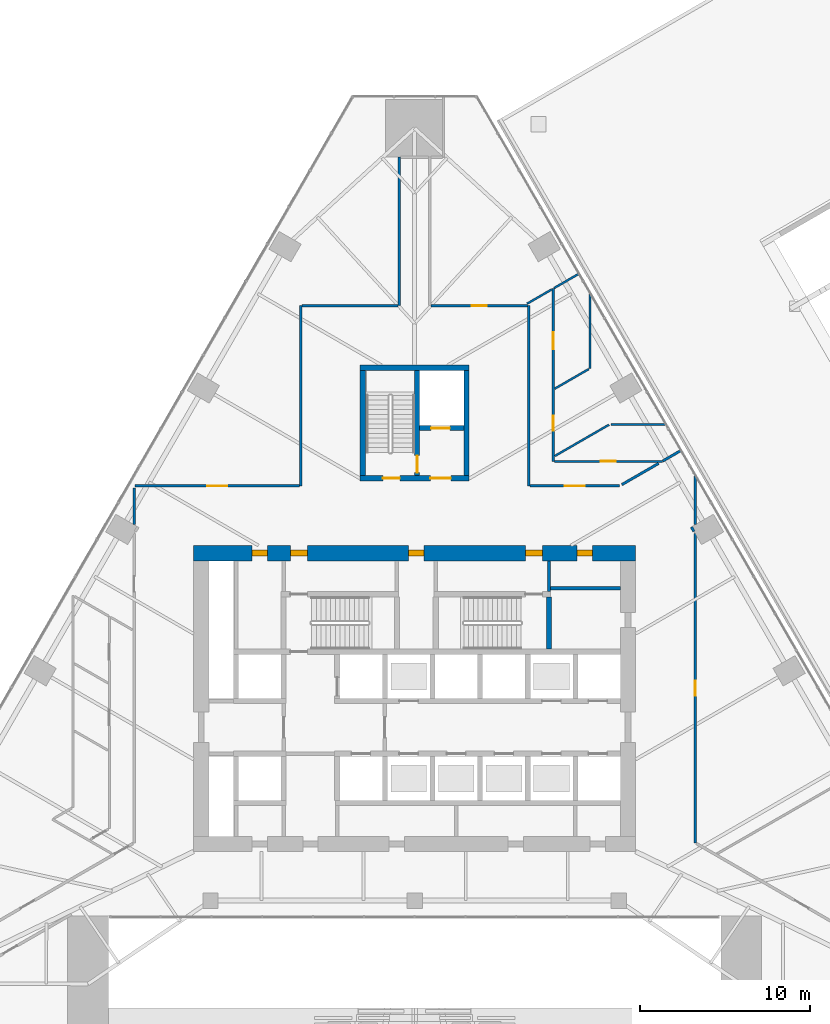
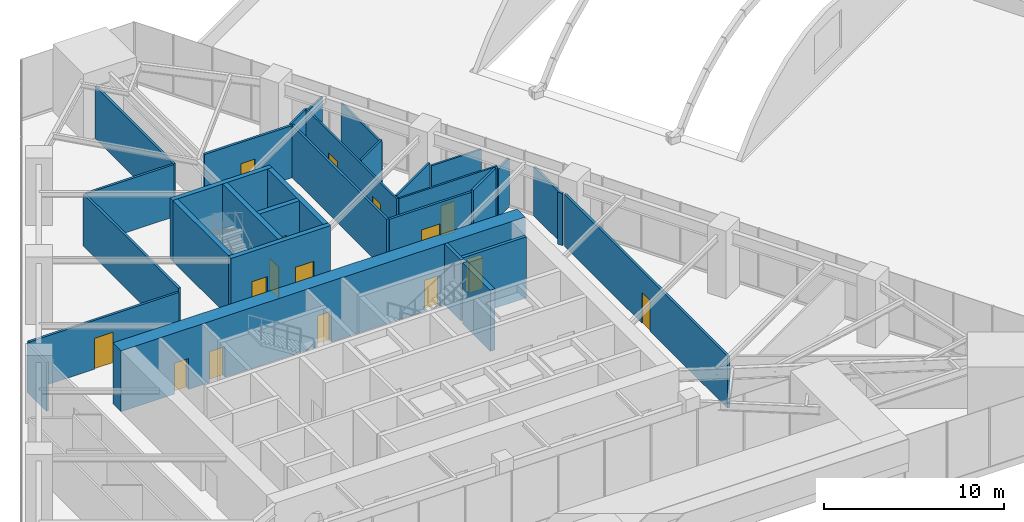
# One storey, part 20 of 23: 31 walls, 16 doors, 16 openings.
"""IFC4 building model written with IfcOpenShell, lengths in metres."""

from ifc_helpers import new_model, si_unit, direction, frame, frame_2d, origin, place, context, subcontext, project, spatial, rectangle, extrude, material, layer, layer_set, type_object, element, fill, save


model = new_model("IFC4")

# Units and contexts
model_context = context("Model", 3, precision=1e-05, world=origin(), true_north=direction((0.0, 1.0)))
body_context = subcontext(model_context, "Body", "Model", "MODEL_VIEW")
ifc_project = project(units=[si_unit("LENGTHUNIT", "METRE"), si_unit("AREAUNIT", "SQUARE_METRE"), si_unit("VOLUMEUNIT", "CUBIC_METRE"), si_unit("PLANEANGLEUNIT", "RADIAN"), si_unit("MASSUNIT", "GRAM", prefix="KILO")], contexts=[model_context])

# Site, building, storey
site_placement = place(None, origin())
site = spatial("IfcSite", under=ifc_project, at=site_placement, CompositionType="ELEMENT")
building_placement = place(site_placement, origin())
building = spatial("IfcBuilding", under=site, at=building_placement, Name="Firuza Gate Tower and Library", CompositionType="ELEMENT")
storey_placement = place(building_placement, frame((0.0, 0.0, 26.39990234375)))
storey = spatial("IfcBuildingStorey", under=building, at=storey_placement, Name="L05", CompositionType="ELEMENT", Elevation=26.39990234375)

# Walls
ifc_material_1 = material(Name="Plasterboard on steel studs", Category="steel")
ifc_layer_1 = layer(ifc_material_1, 0.199951171875)
ifc_layer_set_1 = layer_set([ifc_layer_1], Name="Core partition 200 EI 120")
wall_type_1 = type_object("IfcWallType", Name="Core partition 200 EI 120", PredefinedType="PARTITIONING", material=ifc_layer_set_1)
wall_1_placement = place(storey_placement, frame((83.0, 81.4951171875, 0.0), z_axis=(0.0, 0.0, 1.0), x_axis=(1.0, 0.0, 0.0)))
element("IfcWall", 1, at=wall_1_placement, inside=storey, type_object=wall_type_1, Name="Core partition L05 4", PredefinedType="PARTITIONING", context=body_context, shape_type="SweptSolid", body=[
    extrude(rectangle(XDim=4.10009765625, YDim=0.199951171875, at=frame_2d((2.050048828125, 0.0))), origin(), (0.0, 0.0, 1.0), 4.150146484375),
])
wall_2_placement = place(storey_placement, frame((82.89990234375, 81.280029296875, 0.0), z_axis=(0.0, 0.0, 1.0), x_axis=(0.0, 1.0, 0.0)))
element("IfcWall", 2, at=wall_2_placement, inside=storey, type_object=wall_type_1, Name="Core partition L05 15", PredefinedType="PARTITIONING", context=body_context, shape_type="SweptSolid", body=[
    extrude(rectangle(XDim=1.820068359375, YDim=0.199951171875, at=frame_2d((0.91015625, 0.0))), origin(), (0.0, 0.0, 1.0), 4.150146484375),
])
ifc_material_2 = material(Name="Concrete C80/95", Category="concrete")
ifc_layer_2 = layer(ifc_material_2, 0.300048828125)
ifc_layer_set_2 = layer_set([ifc_layer_2], Name="Core wall 300 C80/95")
wall_type_2 = type_object("IfcWallType", Name="Core wall 300 C80/95", PredefinedType="SHEAR", material=ifc_layer_set_2)
wall_3_placement = place(storey_placement, frame((82.89990234375, 77.89990234375, 0.0), z_axis=(0.0, 0.0, 1.0), x_axis=(0.0, 1.0, 0.0)))
element("IfcWall", 3, at=wall_3_placement, inside=storey, type_object=wall_type_2, Name="Core wall L05 33", PredefinedType="SHEAR", context=body_context, shape_type="SweptSolid", body=[
    extrude(rectangle(XDim=3.080078125, YDim=0.300048828125, at=frame_2d((1.5400390625, 0.0))), origin(), (0.0, 0.0, 1.0), 4.150146484375),
])

# Wall, openings, doors
wall_4_placement = place(storey_placement, frame((71.800048828125, 87.949951171875, 0.0), z_axis=(0.0, 0.0, 1.0), x_axis=(1.0, 0.0, 0.0)))
wall_4 = element("IfcWall", 4, at=wall_4_placement, inside=storey, type_object=wall_type_2, Name="Core wall L05 34", PredefinedType="SHEAR", context=body_context, shape_type="SweptSolid", body=[
    extrude(rectangle(XDim=6.39990234375, YDim=0.300048828125, at=frame_2d((3.199951171875, 0.0))), origin(), (0.0, 0.0, 1.0), 4.150146484375),
])
opening_1_placement = place(wall_4_placement, frame((1.324951171875, 0.0, 0.0)))
opening_1 = element("IfcOpeningElement", 5, at=opening_1_placement, cuts=wall_4, Name="Opening L05-K17", PredefinedType="OPENING", context=body_context, shape_type="SweptSolid", body=[
    extrude(rectangle(XDim=1.0, YDim=2.10009765625, at=frame_2d((0.5, 1.050048828125))), frame((0.0, 0.16015625, 0.0), z_axis=(0.0, -1.0, 0.0), x_axis=(1.0, 0.0, 0.0)), (0.0, 0.0, 1.0), 0.320068359375),
])
opening_2_placement = place(wall_4_placement, frame((4.125, 0.0, 0.0)))
opening_2 = element("IfcOpeningElement", 6, at=opening_2_placement, cuts=wall_4, Name="Opening L05-K19", PredefinedType="OPENING", context=body_context, shape_type="SweptSolid", body=[
    extrude(rectangle(XDim=1.199951171875, YDim=2.10009765625, at=frame_2d((0.60009765625, 1.050048828125))), frame((0.0, 0.16015625, 0.0), z_axis=(0.0, -1.0, 0.0), x_axis=(1.0, 0.0, 0.0)), (0.0, 0.0, 1.0), 0.320068359375),
])
ifc_material_3 = material(Name="Steel", Category="steel")
door_type_1 = type_object("IfcDoorType", Name="Fire door 1000x2100 FD90", OperationType="NOTDEFINED", PredefinedType="DOOR", material=ifc_material_3)
door_1_placement = place(opening_1_placement, origin())
door_1 = element("IfcDoor", 7, at=door_1_placement, inside=storey, type_object=door_type_1, Name="Door L05-K17", OperationType="SINGLE_SWING_RIGHT", OverallHeight=2.10009765625, OverallWidth=1.0, PredefinedType="DOOR", context=body_context, shape_type="SweptSolid", body=[
    extrude(rectangle(XDim=1.0, YDim=2.10009765625, at=frame_2d((0.5, 1.050048828125))), frame((0.0, 0.02490234375, 0.0), z_axis=(0.0, -1.0, 0.0), x_axis=(1.0, 0.0, 0.0)), (0.0, 0.0, 1.0), 0.050048828125),
])
fill(opening_1, door_1)
ifc_material_4 = material(Name="Steel", Category="steel")
door_type_2 = type_object("IfcDoorType", Name="Fire door 1200x2100 FD30S", OperationType="NOTDEFINED", PredefinedType="DOOR", material=ifc_material_4)
door_2_placement = place(opening_2_placement, origin())
door_2 = element("IfcDoor", 8, at=door_2_placement, inside=storey, type_object=door_type_2, Name="Door L05-K19", OperationType="SINGLE_SWING_RIGHT", OverallHeight=2.10009765625, OverallWidth=1.199951171875, PredefinedType="DOOR", context=body_context, shape_type="SweptSolid", body=[
    extrude(rectangle(XDim=1.199951171875, YDim=2.10009765625, at=frame_2d((0.60009765625, 1.050048828125))), frame((0.0, 0.02490234375, 0.0), z_axis=(0.0, -1.0, 0.0), x_axis=(1.0, 0.0, 0.0)), (0.0, 0.0, 1.0), 0.050048828125),
])
fill(opening_2, door_2)

# Walls
wall_5_placement = place(storey_placement, frame((71.800048828125, 94.449951171875, 0.0), z_axis=(0.0, 0.0, 1.0), x_axis=(1.0, 0.0, 0.0)))
element("IfcWall", 9, at=wall_5_placement, inside=storey, type_object=wall_type_2, Name="Core wall L05 35", PredefinedType="SHEAR", context=body_context, shape_type="SweptSolid", body=[
    extrude(rectangle(XDim=6.39990234375, YDim=0.300048828125, at=frame_2d((3.199951171875, 0.0))), origin(), (0.0, 0.0, 1.0), 4.150146484375),
])
for number, where, z_axis, x_axis, name in (
    (10, (71.949951171875, 88.10009765625, 0.0), (0.0, 0.0, 1.0), (0.0, 1.0, 0.0), "Core wall L05 36"),
    (11, (78.050048828125, 88.10009765625, 0.0), (0.0, 0.0, 1.0), (0.0, 1.0, 0.0), "Core wall L05 37"),
):
    element("IfcWall", number, at=place(storey_placement, frame(where, z_axis=z_axis, x_axis=x_axis)), inside=storey, type_object=wall_type_2, Name=name, PredefinedType="SHEAR", context=body_context, shape_type="SweptSolid", body=[
        extrude(rectangle(XDim=6.199951171875, YDim=0.300048828125, at=frame_2d((3.10009765625, 0.0))), origin(), (0.0, 0.0, 1.0), 4.150146484375),
    ])

# Wall, opening, door
wall_6_placement = place(storey_placement, frame((75.300048828125, 90.89990234375, 0.0), z_axis=(0.0, 0.0, 1.0), x_axis=(1.0, 0.0, 0.0)))
wall_6 = element("IfcWall", 12, at=wall_6_placement, inside=storey, type_object=wall_type_2, Name="Core wall L05 38", PredefinedType="SHEAR", context=body_context, shape_type="SweptSolid", body=[
    extrude(rectangle(XDim=2.599853515625, YDim=0.300048828125, at=frame_2d((1.2998046875, 0.0))), origin(), (0.0, 0.0, 1.0), 4.150146484375),
])
opening_3_placement = place(wall_6_placement, frame((0.675048828125, 0.0, 0.0)))
opening_3 = element("IfcOpeningElement", 13, at=opening_3_placement, cuts=wall_6, Name="Opening LD-SV1-L05", PredefinedType="OPENING", context=body_context, shape_type="SweptSolid", body=[
    extrude(rectangle(XDim=1.10009765625, YDim=2.10009765625, at=frame_2d((0.550048828125, 1.050048828125))), frame((0.0, 0.16015625, 0.0), z_axis=(0.0, -1.0, 0.0), x_axis=(1.0, 0.0, 0.0)), (0.0, 0.0, 1.0), 0.320068359375),
])
ifc_material_5 = material(Name="Stainless steel", Category="steel")
door_type_3 = type_object("IfcDoorType", Name="Lift landing door 1100x2100", OperationType="DOUBLE_DOOR_SLIDING", PredefinedType="DOOR", material=ifc_material_5)
door_3_placement = place(opening_3_placement, origin())
door_3 = element("IfcDoor", 14, at=door_3_placement, inside=storey, type_object=door_type_3, Name="Landing door SV1 L05", OperationType="DOUBLE_DOOR_SLIDING", OverallHeight=2.10009765625, OverallWidth=1.10009765625, PredefinedType="DOOR", context=body_context, shape_type="SweptSolid", body=[
    extrude(rectangle(XDim=1.10009765625, YDim=2.10009765625, at=frame_2d((0.550048828125, 1.050048828125))), frame((0.0, 0.02490234375, 0.0), z_axis=(0.0, -1.0, 0.0), x_axis=(1.0, 0.0, 0.0)), (0.0, 0.0, 1.0), 0.050048828125),
])
fill(opening_3, door_3)

wall_7_placement = place(storey_placement, frame((75.14990234375, 88.10009765625, 0.0), z_axis=(0.0, 0.0, 1.0), x_axis=(0.0, 1.0, 0.0)))
wall_7 = element("IfcWall", 15, at=wall_7_placement, inside=storey, type_object=wall_type_2, Name="Core wall L05 39", PredefinedType="SHEAR", context=body_context, shape_type="SweptSolid", body=[
    extrude(rectangle(XDim=6.199951171875, YDim=0.300048828125, at=frame_2d((3.10009765625, 0.0))), origin(), (0.0, 0.0, 1.0), 4.150146484375),
])
opening_4_placement = place(wall_7_placement, frame((0.18505859375, 0.0, 0.0)))
opening_4 = element("IfcOpeningElement", 16, at=opening_4_placement, cuts=wall_7, Name="Opening L05-K18", PredefinedType="OPENING", context=body_context, shape_type="SweptSolid", body=[
    extrude(rectangle(XDim=1.0, YDim=2.10009765625, at=frame_2d((0.5, 1.050048828125))), frame((0.0, 0.16015625, 0.0), z_axis=(0.0, -1.0, 0.0), x_axis=(1.0, 0.0, 0.0)), (0.0, 0.0, 1.0), 0.320068359375),
])
door_4_placement = place(opening_4_placement, origin())
door_4 = element("IfcDoor", 17, at=door_4_placement, inside=storey, type_object=door_type_1, Name="Door L05-K18", OperationType="SINGLE_SWING_LEFT", OverallHeight=2.10009765625, OverallWidth=1.0, PredefinedType="DOOR", context=body_context, shape_type="SweptSolid", body=[
    extrude(rectangle(XDim=1.0, YDim=2.10009765625, at=frame_2d((0.5, 1.050048828125))), frame((0.0, 0.02490234375, 0.0), z_axis=(0.0, -1.0, 0.0), x_axis=(1.0, 0.0, 0.0)), (0.0, 0.0, 1.0), 0.050048828125),
])
fill(opening_4, door_4)

# Wall, openings, doors
ifc_material_6 = material(Name="Concrete C80/95", Category="concrete")
ifc_layer_3 = layer(ifc_material_6, 0.89990234375)
ifc_layer_set_3 = layer_set([ifc_layer_3], Name="Core wall 900 C80/95")
wall_type_3 = type_object("IfcWallType", Name="Core wall 900 C80/95", PredefinedType="SHEAR", material=ifc_layer_set_3)
wall_8_placement = place(storey_placement, frame((62.0, 83.550048828125, 0.0), z_axis=(0.0, 0.0, 1.0), x_axis=(1.0, 0.0, 0.0)))
wall_8 = element("IfcWall", 18, at=wall_8_placement, inside=storey, type_object=wall_type_3, Name="Core wall L05 2", PredefinedType="SHEAR", context=body_context, shape_type="SweptSolid", body=[
    extrude(rectangle(XDim=26.0, YDim=0.89990234375, at=frame_2d((13.0, 0.0))), origin(), (0.0, 0.0, 1.0), 4.150146484375),
])
opening_5_placement = place(wall_8_placement, frame((5.695068359375, 0.0, 0.0)))
opening_5 = element("IfcOpeningElement", 19, at=opening_5_placement, cuts=wall_8, Name="Opening L05-K14", PredefinedType="OPENING", context=body_context, shape_type="SweptSolid", body=[
    extrude(rectangle(XDim=1.0, YDim=2.10009765625, at=frame_2d((0.5, 1.050048828125))), frame((0.0, 0.4599609375, 0.0), z_axis=(0.0, -1.0, 0.0), x_axis=(1.0, 0.0, 0.0)), (0.0, 0.0, 1.0), 0.919921875),
])
opening_6_placement = place(wall_8_placement, frame((19.5048828125, 0.0, 0.0)))
opening_6 = element("IfcOpeningElement", 20, at=opening_6_placement, cuts=wall_8, Name="Opening L05-K16", PredefinedType="OPENING", context=body_context, shape_type="SweptSolid", body=[
    extrude(rectangle(XDim=1.0, YDim=2.10009765625, at=frame_2d((0.5, 1.050048828125))), frame((0.0, 0.4599609375, 0.0), z_axis=(0.0, -1.0, 0.0), x_axis=(1.0, 0.0, 0.0)), (0.0, 0.0, 1.0), 0.919921875),
])
opening_7_placement = place(wall_8_placement, frame((3.449951171875, 0.0, 0.0)))
opening_7 = element("IfcOpeningElement", 21, at=opening_7_placement, cuts=wall_8, Name="Opening L05-K29", PredefinedType="OPENING", context=body_context, shape_type="SweptSolid", body=[
    extrude(rectangle(XDim=0.89990234375, YDim=2.10009765625, at=frame_2d((0.449951171875, 1.050048828125))), frame((0.0, 0.4599609375, 0.0), z_axis=(0.0, -1.0, 0.0), x_axis=(1.0, 0.0, 0.0)), (0.0, 0.0, 1.0), 0.919921875),
])
opening_8_placement = place(wall_8_placement, frame((12.64990234375, 0.0, 0.0)))
opening_8 = element("IfcOpeningElement", 22, at=opening_8_placement, cuts=wall_8, Name="Opening L05-K30", PredefinedType="OPENING", context=body_context, shape_type="SweptSolid", body=[
    extrude(rectangle(XDim=0.89990234375, YDim=2.10009765625, at=frame_2d((0.449951171875, 1.050048828125))), frame((0.0, 0.4599609375, 0.0), z_axis=(0.0, -1.0, 0.0), x_axis=(1.0, 0.0, 0.0)), (0.0, 0.0, 1.0), 0.919921875),
])
opening_9_placement = place(wall_8_placement, frame((22.550048828125, 0.0, 0.0)))
opening_9 = element("IfcOpeningElement", 23, at=opening_9_placement, cuts=wall_8, Name="Opening L05-K32", PredefinedType="OPENING", context=body_context, shape_type="SweptSolid", body=[
    extrude(rectangle(XDim=0.89990234375, YDim=2.10009765625, at=frame_2d((0.449951171875, 1.050048828125))), frame((0.0, 0.4599609375, 0.0), z_axis=(0.0, -1.0, 0.0), x_axis=(1.0, 0.0, 0.0)), (0.0, 0.0, 1.0), 0.919921875),
])
door_5_placement = place(opening_5_placement, origin())
door_5 = element("IfcDoor", 24, at=door_5_placement, inside=storey, type_object=door_type_1, Name="Door L05-K14", OperationType="SINGLE_SWING_LEFT", OverallHeight=2.10009765625, OverallWidth=1.0, PredefinedType="DOOR", context=body_context, shape_type="SweptSolid", body=[
    extrude(rectangle(XDim=1.0, YDim=2.10009765625, at=frame_2d((0.5, 1.050048828125))), frame((0.0, 0.169921875, 0.0), z_axis=(0.0, -1.0, 0.0), x_axis=(1.0, 0.0, 0.0)), (0.0, 0.0, 1.0), 0.33984375),
])
fill(opening_5, door_5)
door_6_placement = place(opening_6_placement, origin())
door_6 = element("IfcDoor", 25, at=door_6_placement, inside=storey, type_object=door_type_1, Name="Door L05-K16", OperationType="SINGLE_SWING_LEFT", OverallHeight=2.10009765625, OverallWidth=1.0, PredefinedType="DOOR", context=body_context, shape_type="SweptSolid", body=[
    extrude(rectangle(XDim=1.0, YDim=2.10009765625, at=frame_2d((0.5, 1.050048828125))), frame((0.0, 0.169921875, 0.0), z_axis=(0.0, -1.0, 0.0), x_axis=(1.0, 0.0, 0.0)), (0.0, 0.0, 1.0), 0.33984375),
])
fill(opening_6, door_6)
ifc_material_7 = material(Name="Steel", Category="steel")
door_type_4 = type_object("IfcDoorType", Name="Fire door 900x2100 FD30S", OperationType="NOTDEFINED", PredefinedType="DOOR", material=ifc_material_7)
door_7_placement = place(opening_7_placement, origin())
door_7 = element("IfcDoor", 26, at=door_7_placement, inside=storey, type_object=door_type_4, Name="Door L05-K29", OperationType="SINGLE_SWING_RIGHT", OverallHeight=2.10009765625, OverallWidth=0.89990234375, PredefinedType="DOOR", context=body_context, shape_type="SweptSolid", body=[
    extrude(rectangle(XDim=0.89990234375, YDim=2.10009765625, at=frame_2d((0.449951171875, 1.050048828125))), frame((0.0, 0.169921875, 0.0), z_axis=(0.0, -1.0, 0.0), x_axis=(1.0, 0.0, 0.0)), (0.0, 0.0, 1.0), 0.33984375),
])
fill(opening_7, door_7)
door_8_placement = place(opening_8_placement, origin())
door_8 = element("IfcDoor", 27, at=door_8_placement, inside=storey, type_object=door_type_4, Name="Door L05-K30", OperationType="SINGLE_SWING_LEFT", OverallHeight=2.10009765625, OverallWidth=0.89990234375, PredefinedType="DOOR", context=body_context, shape_type="SweptSolid", body=[
    extrude(rectangle(XDim=0.89990234375, YDim=2.10009765625, at=frame_2d((0.449951171875, 1.050048828125))), frame((0.0, 0.169921875, 0.0), z_axis=(0.0, -1.0, 0.0), x_axis=(1.0, 0.0, 0.0)), (0.0, 0.0, 1.0), 0.33984375),
])
fill(opening_8, door_8)
door_9_placement = place(opening_9_placement, origin())
door_9 = element("IfcDoor", 28, at=door_9_placement, inside=storey, type_object=door_type_4, Name="Door L05-K32", OperationType="SINGLE_SWING_LEFT", OverallHeight=2.10009765625, OverallWidth=0.89990234375, PredefinedType="DOOR", context=body_context, shape_type="SweptSolid", body=[
    extrude(rectangle(XDim=0.89990234375, YDim=2.10009765625, at=frame_2d((0.449951171875, 1.050048828125))), frame((0.0, 0.169921875, 0.0), z_axis=(0.0, -1.0, 0.0), x_axis=(1.0, 0.0, 0.0)), (0.0, 0.0, 1.0), 0.33984375),
])
fill(opening_9, door_9)

# Wall, opening, door
ifc_material_8 = material(Name="Gypsum board partition")
ifc_layer_4 = layer(ifc_material_8, 0.14990234375)
ifc_layer_set_4 = layer_set([ifc_layer_4], Name="Corridor wall 150 double board on steel studs")
wall_type_4 = type_object("IfcWallType", Name="Corridor wall 150 double board on steel studs", PredefinedType="PARTITIONING", material=ifc_layer_set_4)
wall_9_placement = place(storey_placement, frame((58.563232421875, 87.499755859375, 0.0), z_axis=(0.0, 0.0, 1.0), x_axis=(1.0, 0.0, 0.0)))
wall_9 = element("IfcWall", 29, at=wall_9_placement, inside=storey, type_object=wall_type_4, Name="f:L05:w000", PredefinedType="PARTITIONING", context=body_context, shape_type="SweptSolid", body=[
    extrude(rectangle(XDim=9.66162109375, YDim=0.14990234375, at=frame_2d((4.830810546875, 0.0))), origin(), (0.0, 0.0, 1.0), 3.315185546875),
])
opening_10_placement = place(wall_9_placement, frame((4.23095703125, 0.0, 0.0)))
opening_10 = element("IfcOpeningElement", 30, at=opening_10_placement, cuts=wall_9, Name="Opening L05-01", PredefinedType="OPENING", context=body_context, shape_type="SweptSolid", body=[
    extrude(rectangle(XDim=1.199951171875, YDim=2.10009765625, at=frame_2d((0.60009765625, 1.050048828125))), frame((0.0, 0.0849609375, 0.0), z_axis=(0.0, -1.0, 0.0), x_axis=(1.0, 0.0, 0.0)), (0.0, 0.0, 1.0), 0.169921875),
])
ifc_material_9 = material(Name="Steel door and timber leaf", Category="steel")
door_type_5 = type_object("IfcDoorType", Name="Fire door 1200 x 2100 steel frame, double leaf", OperationType="NOTDEFINED", PredefinedType="DOOR", material=ifc_material_9)
door_10_placement = place(opening_10_placement, origin())
door_10 = element("IfcDoor", 31, at=door_10_placement, inside=storey, type_object=door_type_5, Name="f:L05:d001", OperationType="DOUBLE_DOOR_SINGLE_SWING", OverallHeight=2.10009765625, OverallWidth=1.199951171875, PredefinedType="DOOR", context=body_context, shape_type="SweptSolid", body=[
    extrude(rectangle(XDim=1.199951171875, YDim=2.10009765625, at=frame_2d((0.60009765625, 1.050048828125))), frame((0.0, 0.02490234375, 0.0), z_axis=(0.0, -1.0, 0.0), x_axis=(1.0, 0.0, 0.0)), (0.0, 0.0, 1.0), 0.050048828125),
])
fill(opening_10, door_10)

wall_10_placement = place(storey_placement, frame((81.77490234375, 87.499755859375, 0.0), z_axis=(0.0, 0.0, 1.0), x_axis=(1.0, 0.0, 0.0)))
wall_10 = element("IfcWall", 32, at=wall_10_placement, inside=storey, type_object=wall_type_4, Name="f:L05:w001", PredefinedType="PARTITIONING", context=body_context, shape_type="SweptSolid", body=[
    extrude(rectangle(XDim=5.275634765625, YDim=0.14990234375, at=frame_2d((2.6376953125, 0.0))), origin(), (0.0, 0.0, 1.0), 3.550048828125),
])
opening_11_placement = place(wall_10_placement, frame((2.037841796875, 0.0, 0.0)))
opening_11 = element("IfcOpeningElement", 33, at=opening_11_placement, cuts=wall_10, Name="Opening L05-02", PredefinedType="OPENING", context=body_context, shape_type="SweptSolid", body=[
    extrude(rectangle(XDim=1.199951171875, YDim=2.10009765625, at=frame_2d((0.60009765625, 1.050048828125))), frame((0.0, 0.0849609375, 0.0), z_axis=(0.0, -1.0, 0.0), x_axis=(1.0, 0.0, 0.0)), (0.0, 0.0, 1.0), 0.169921875),
])
door_11_placement = place(opening_11_placement, origin())
door_11 = element("IfcDoor", 34, at=door_11_placement, inside=storey, type_object=door_type_5, Name="f:L05:d002", OperationType="DOUBLE_DOOR_SINGLE_SWING", OverallHeight=2.10009765625, OverallWidth=1.199951171875, PredefinedType="DOOR", context=body_context, shape_type="SweptSolid", body=[
    extrude(rectangle(XDim=1.199951171875, YDim=2.10009765625, at=frame_2d((0.60009765625, 1.050048828125))), frame((0.0, 0.02490234375, 0.0), z_axis=(0.0, -1.0, 0.0), x_axis=(1.0, 0.0, 0.0)), (0.0, 0.0, 1.0), 0.050048828125),
])
fill(opening_11, door_11)

# Wall
wall_11_placement = place(storey_placement, frame((68.37548828125, 98.10009765625, 0.0), z_axis=(0.0, 0.0, 1.0), x_axis=(1.0, 0.0, 0.0)))
element("IfcWall", 35, at=wall_11_placement, inside=storey, type_object=wall_type_4, Name="f:L05:w004", PredefinedType="PARTITIONING", context=body_context, shape_type="SweptSolid", body=[
    extrude(rectangle(XDim=5.6494140625, YDim=0.14990234375, at=frame_2d((2.82470703125, 0.0))), origin(), (0.0, 0.0, 1.0), 3.550048828125),
])

# Wall, opening, door
wall_12_placement = place(storey_placement, frame((75.97509765625, 98.10009765625, 0.0), z_axis=(0.0, 0.0, 1.0), x_axis=(1.0, 0.0, 0.0)))
wall_12 = element("IfcWall", 36, at=wall_12_placement, inside=storey, type_object=wall_type_4, Name="f:L05:w005", PredefinedType="PARTITIONING", context=body_context, shape_type="SweptSolid", body=[
    extrude(rectangle(XDim=5.64990234375, YDim=0.14990234375, at=frame_2d((2.824951171875, 0.0))), origin(), (0.0, 0.0, 1.0), 3.550048828125),
])
opening_12_placement = place(wall_12_placement, frame((2.37060546875, 0.0, 0.0)))
opening_12 = element("IfcOpeningElement", 37, at=opening_12_placement, cuts=wall_12, Name="Opening L05-04", PredefinedType="OPENING", context=body_context, shape_type="SweptSolid", body=[
    extrude(rectangle(XDim=0.89990234375, YDim=2.10009765625, at=frame_2d((0.449951171875, 1.050048828125))), frame((0.0, 0.0849609375, 0.0), z_axis=(0.0, -1.0, 0.0), x_axis=(1.0, 0.0, 0.0)), (0.0, 0.0, 1.0), 0.169921875),
])
ifc_material_10 = material(Name="Steel door and timber leaf", Category="steel")
door_type_6 = type_object("IfcDoorType", Name="Fire door 900 x 2100 steel frame, timber leaf", OperationType="NOTDEFINED", PredefinedType="DOOR", material=ifc_material_10)
door_12_placement = place(opening_12_placement, origin())
door_12 = element("IfcDoor", 38, at=door_12_placement, inside=storey, type_object=door_type_6, Name="f:L05:d004", OperationType="SINGLE_SWING_RIGHT", OverallHeight=2.10009765625, OverallWidth=0.89990234375, PredefinedType="DOOR", context=body_context, shape_type="SweptSolid", body=[
    extrude(rectangle(XDim=0.89990234375, YDim=2.10009765625, at=frame_2d((0.449951171875, 1.050048828125))), frame((0.0, 0.02490234375, 0.0), z_axis=(0.0, -1.0, 0.0), x_axis=(1.0, 0.0, 0.0)), (0.0, 0.0, 1.0), 0.050048828125),
])
fill(opening_12, door_12)

# Wall
wall_13_placement = place(storey_placement, frame((87.180419921875, 87.5751953125, 0.0), z_axis=(0.0, 0.0, 1.0), x_axis=(0.866065245018, 0.499930986609, 0.0)))
element("IfcWall", 39, at=wall_13_placement, inside=storey, type_object=wall_type_4, Name="f:L05:w013", PredefinedType="PARTITIONING", context=body_context, shape_type="SweptSolid", body=[
    extrude(rectangle(XDim=2.499755859375, YDim=0.14990234375, at=frame_2d((1.25, 0.0))), origin(), (0.0, 0.0, 1.0), 3.550048828125),
])

# Wall, opening, door
wall_14_placement = place(storey_placement, frame((91.5, 84.690185546875, 0.0), z_axis=(0.0, 0.0, 1.0), x_axis=(0.0, -1.0, 0.0)))
wall_14 = element("IfcWall", 40, at=wall_14_placement, inside=storey, type_object=wall_type_4, Name="f:L05:w019", PredefinedType="PARTITIONING", context=body_context, shape_type="SweptSolid", body=[
    extrude(rectangle(XDim=18.17724609375, YDim=0.14990234375, at=frame_2d((9.088623046875, 0.0))), origin(), (0.0, 0.0, 1.0), 3.550048828125),
])
opening_13_placement = place(wall_14_placement, frame((8.638671875, 0.0, 0.0)))
opening_13 = element("IfcOpeningElement", 41, at=opening_13_placement, cuts=wall_14, Name="Opening L05-09", PredefinedType="OPENING", context=body_context, shape_type="SweptSolid", body=[
    extrude(rectangle(XDim=0.89990234375, YDim=2.10009765625, at=frame_2d((0.449951171875, 1.050048828125))), frame((0.0, 0.0849609375, 0.0), z_axis=(0.0, -1.0, 0.0), x_axis=(1.0, 0.0, 0.0)), (0.0, 0.0, 1.0), 0.169921875),
])
door_13_placement = place(opening_13_placement, origin())
door_13 = element("IfcDoor", 42, at=door_13_placement, inside=storey, type_object=door_type_6, Name="f:L05:d009", OperationType="SINGLE_SWING_RIGHT", OverallHeight=2.10009765625, OverallWidth=0.89990234375, PredefinedType="DOOR", context=body_context, shape_type="SweptSolid", body=[
    extrude(rectangle(XDim=0.89990234375, YDim=2.10009765625, at=frame_2d((0.449951171875, 1.050048828125))), frame((0.0, 0.02490234375, 0.0), z_axis=(0.0, -1.0, 0.0), x_axis=(1.0, 0.0, 0.0)), (0.0, 0.0, 1.0), 0.050048828125),
])
fill(opening_13, door_13)

# Walls
wall_15_placement = place(storey_placement, frame((91.5, 85.219482421875, 0.0), z_axis=(0.0, 0.0, 1.0), x_axis=(0.0, 1.0, 0.0)))
element("IfcWall", 43, at=wall_15_placement, inside=storey, type_object=wall_type_4, Name="f:L05:w020", PredefinedType="PARTITIONING", context=body_context, shape_type="SweptSolid", body=[
    extrude(rectangle(XDim=2.890869140625, YDim=0.14990234375, at=frame_2d((1.4453125, 0.0))), origin(), (0.0, 0.0, 1.0), 3.315185546875),
])
wall_16_placement = place(storey_placement, frame((81.699951171875, 87.5, 0.0), z_axis=(0.0, 0.0, 1.0), x_axis=(0.0, 1.0, 0.0)))
element("IfcWall", 44, at=wall_16_placement, inside=storey, type_object=wall_type_4, Name="f:L05:w023", PredefinedType="PARTITIONING", context=body_context, shape_type="SweptSolid", body=[
    extrude(rectangle(XDim=10.60009765625, YDim=0.14990234375, at=frame_2d((5.300048828125, 0.0))), origin(), (0.0, 0.0, 1.0), 3.550048828125),
])
wall_17_placement = place(storey_placement, frame((74.10009765625, 98.10009765625, 0.0), z_axis=(0.0, 0.0, 1.0), x_axis=(0.0, 1.0, 0.0)))
element("IfcWall", 45, at=wall_17_placement, inside=storey, type_object=wall_type_4, Name="f:L05:w026", PredefinedType="PARTITIONING", context=body_context, shape_type="SweptSolid", body=[
    extrude(rectangle(XDim=8.733154296875, YDim=0.14990234375, at=frame_2d((4.36669921875, 0.0))), origin(), (0.0, 0.0, 1.0), 3.550048828125),
])
wall_18_placement = place(storey_placement, frame((68.300048828125, 87.5, 0.0), z_axis=(0.0, 0.0, 1.0), x_axis=(0.0, 1.0, 0.0)))
element("IfcWall", 46, at=wall_18_placement, inside=storey, type_object=wall_type_4, Name="f:L05:w027", PredefinedType="PARTITIONING", context=body_context, shape_type="SweptSolid", body=[
    extrude(rectangle(XDim=10.599365234375, YDim=0.14990234375, at=frame_2d((5.2998046875, 0.0))), origin(), (0.0, 0.0, 1.0), 3.550048828125),
])
wall_19_placement = place(storey_placement, frame((58.5, 85.219482421875, 0.0), z_axis=(0.0, 0.0, 1.0), x_axis=(0.0, 1.0, 0.0)))
element("IfcWall", 47, at=wall_19_placement, inside=storey, type_object=wall_type_4, Name="f:L05:w029", PredefinedType="PARTITIONING", context=body_context, shape_type="SweptSolid", body=[
    extrude(rectangle(XDim=2.169921875, YDim=0.14990234375, at=frame_2d((1.0849609375, 0.0))), origin(), (0.0, 0.0, 1.0), 3.315185546875),
])
wall_20_placement = place(storey_placement, frame((91.42529296875, 84.820556640625, 0.0), z_axis=(0.0, 0.0, 1.0), x_axis=(-0.4998141712, 0.866132665513, 0.0)))
element("IfcWall", 48, at=wall_20_placement, inside=storey, type_object=wall_type_4, Name="f:L05:w032", PredefinedType="PARTITIONING", context=body_context, shape_type="SweptSolid", body=[
    extrude(rectangle(XDim=0.30712890625, YDim=0.14990234375, at=frame_2d((0.153564453125, 0.0))), origin(), (0.0, 0.0, 1.0), 3.550048828125),
])
wall_21_placement = place(storey_placement, frame((89.588134765625, 88.965087890625, 0.0), z_axis=(0.0, 0.0, 1.0), x_axis=(0.865983670182, 0.500072277755, 0.0)))
element("IfcWall", 49, at=wall_21_placement, inside=storey, type_object=wall_type_4, Name="f:L05:w040", PredefinedType="PARTITIONING", context=body_context, shape_type="SweptSolid", body=[
    extrude(rectangle(XDim=1.228271484375, YDim=0.14990234375, at=frame_2d((0.6142578125, 0.0))), origin(), (0.0, 0.0, 1.0), 3.315185546875),
])

# Wall, opening, door
ifc_material_11 = material(Name="Gypsum board partition")
ifc_layer_5 = layer(ifc_material_11, 0.1201171875)
ifc_layer_set_5 = layer_set([ifc_layer_5], Name="Wet-area partition 120 moisture-resistant board")
wall_type_5 = type_object("IfcWallType", Name="Wet-area partition 120 moisture-resistant board", PredefinedType="PARTITIONING", material=ifc_layer_set_5)
wall_22_placement = place(storey_placement, frame((83.2099609375, 88.949951171875, 0.0), z_axis=(0.0, 0.0, 1.0), x_axis=(1.0, 0.0, 0.0)))
wall_22 = element("IfcWall", 50, at=wall_22_placement, inside=storey, type_object=wall_type_5, Name="f:L05:w002", PredefinedType="PARTITIONING", context=body_context, shape_type="SweptSolid", body=[
    extrude(rectangle(XDim=6.35205078125, YDim=0.1201171875, at=frame_2d((3.176025390625, 0.0))), origin(), (0.0, 0.0, 1.0), 3.550048828125),
])
opening_14_placement = place(wall_22_placement, frame((2.72607421875, 0.0, 0.0)))
opening_14 = element("IfcOpeningElement", 51, at=opening_14_placement, cuts=wall_22, Name="Opening L05-03", PredefinedType="OPENING", context=body_context, shape_type="SweptSolid", body=[
    extrude(rectangle(XDim=0.89990234375, YDim=2.10009765625, at=frame_2d((0.449951171875, 1.050048828125))), frame((0.0, 0.070068359375, 0.0), z_axis=(0.0, -1.0, 0.0), x_axis=(1.0, 0.0, 0.0)), (0.0, 0.0, 1.0), 0.14013671875),
])
ifc_material_12 = material(Name="Timber door", Category="wood")
door_type_7 = type_object("IfcDoorType", Name="Door 900 x 2100 timber leaf", OperationType="NOTDEFINED", PredefinedType="DOOR", material=ifc_material_12)
door_14_placement = place(opening_14_placement, origin())
door_14 = element("IfcDoor", 52, at=door_14_placement, inside=storey, type_object=door_type_7, Name="f:L05:d003", OperationType="SINGLE_SWING_LEFT", OverallHeight=2.10009765625, OverallWidth=0.89990234375, PredefinedType="DOOR", context=body_context, shape_type="SweptSolid", body=[
    extrude(rectangle(XDim=0.89990234375, YDim=2.10009765625, at=frame_2d((0.449951171875, 1.050048828125))), frame((0.0, 0.02490234375, 0.0), z_axis=(0.0, -1.0, 0.0), x_axis=(1.0, 0.0, 0.0)), (0.0, 0.0, 1.0), 0.050048828125),
])
fill(opening_14, door_14)

# Walls
wall_23_placement = place(storey_placement, frame((86.549072265625, 91.10009765625, 0.0), z_axis=(0.0, 0.0, 1.0), x_axis=(1.0, 0.0, 0.0)))
element("IfcWall", 53, at=wall_23_placement, inside=storey, type_object=wall_type_5, Name="f:L05:w003", PredefinedType="PARTITIONING", context=body_context, shape_type="SweptSolid", body=[
    extrude(rectangle(XDim=3.224853515625, YDim=0.1201171875, at=frame_2d((1.6123046875, 0.0))), origin(), (0.0, 0.0, 1.0), 3.315185546875),
])
wall_24_placement = place(storey_placement, frame((83.244873046875, 89.26123046875, 0.0), z_axis=(0.0, 0.0, 1.0), x_axis=(0.866019716681, 0.500009850223, 0.0)))
element("IfcWall", 54, at=wall_24_placement, inside=storey, type_object=wall_type_5, Name="f:L05:w014", PredefinedType="PARTITIONING", context=body_context, shape_type="SweptSolid", body=[
    extrude(rectangle(XDim=3.6767578125, YDim=0.1201171875, at=frame_2d((1.83837890625, 0.0))), origin(), (0.0, 0.0, 1.0), 3.550048828125),
])
wall_25_placement = place(storey_placement, frame((83.24462890625, 93.220458984375, 0.0), z_axis=(0.0, 0.0, 1.0), x_axis=(0.866010893236, 0.500025132165, 0.0)))
element("IfcWall", 55, at=wall_25_placement, inside=storey, type_object=wall_type_5, Name="f:L05:w015", PredefinedType="PARTITIONING", context=body_context, shape_type="SweptSolid", body=[
    extrude(rectangle(XDim=2.30419921875, YDim=0.1201171875, at=frame_2d((1.152099609375, 0.0))), origin(), (0.0, 0.0, 1.0), 3.550048828125),
])
wall_26_placement = place(storey_placement, frame((81.609619140625, 98.215087890625, 0.0), z_axis=(0.0, 0.0, 1.0), x_axis=(0.866027799164, 0.499995851058, 0.0)))
element("IfcWall", 56, at=wall_26_placement, inside=storey, type_object=wall_type_5, Name="f:L05:w016", PredefinedType="PARTITIONING", context=body_context, shape_type="SweptSolid", body=[
    extrude(rectangle(XDim=1.6748046875, YDim=0.1201171875, at=frame_2d((0.83740234375, 0.0))), origin(), (0.0, 0.0, 1.0), 3.550048828125),
])
wall_27_placement = place(storey_placement, frame((85.300048828125, 94.4072265625, 0.0), z_axis=(0.0, 0.0, 1.0), x_axis=(0.0, 1.0, 0.0)))
element("IfcWall", 57, at=wall_27_placement, inside=storey, type_object=wall_type_5, Name="f:L05:w021", PredefinedType="PARTITIONING", context=body_context, shape_type="SweptSolid", body=[
    extrude(rectangle(XDim=4.44189453125, YDim=0.1201171875, at=frame_2d((2.220947265625, 0.0))), origin(), (0.0, 0.0, 1.0), 3.315185546875),
])

# Wall, openings, doors
wall_28_placement = place(storey_placement, frame((83.14990234375, 99.1044921875, 0.0), z_axis=(0.0, 0.0, 1.0), x_axis=(0.0, -1.0, 0.0)))
wall_28 = element("IfcWall", 58, at=wall_28_placement, inside=storey, type_object=wall_type_5, Name="f:L05:w022", PredefinedType="PARTITIONING", context=body_context, shape_type="SweptSolid", body=[
    extrude(rectangle(XDim=10.154541015625, YDim=0.1201171875, at=frame_2d((5.0771484375, 0.0))), origin(), (0.0, 0.0, 1.0), 3.550048828125),
])
opening_15_placement = place(wall_28_placement, frame((2.57080078125, 0.0, 0.0)))
opening_15 = element("IfcOpeningElement", 59, at=opening_15_placement, cuts=wall_28, Name="Opening L05-10", PredefinedType="OPENING", context=body_context, shape_type="SweptSolid", body=[
    extrude(rectangle(XDim=1.0, YDim=2.10009765625, at=frame_2d((0.5, 1.050048828125))), frame((0.0, 0.070068359375, 0.0), z_axis=(0.0, -1.0, 0.0), x_axis=(1.0, 0.0, 0.0)), (0.0, 0.0, 1.0), 0.14013671875),
])
opening_16_placement = place(wall_28_placement, frame((7.4677734375, 0.0, 0.0)))
opening_16 = element("IfcOpeningElement", 60, at=opening_16_placement, cuts=wall_28, Name="Opening L05-11", PredefinedType="OPENING", context=body_context, shape_type="SweptSolid", body=[
    extrude(rectangle(XDim=0.89990234375, YDim=2.10009765625, at=frame_2d((0.449951171875, 1.050048828125))), frame((0.0, 0.070068359375, 0.0), z_axis=(0.0, -1.0, 0.0), x_axis=(1.0, 0.0, 0.0)), (0.0, 0.0, 1.0), 0.14013671875),
])
ifc_material_13 = material(Name="Timber door", Category="wood")
door_type_8 = type_object("IfcDoorType", Name="Door 1000 x 2100 timber leaf", OperationType="NOTDEFINED", PredefinedType="DOOR", material=ifc_material_13)
door_15_placement = place(opening_15_placement, origin())
door_15 = element("IfcDoor", 61, at=door_15_placement, inside=storey, type_object=door_type_8, Name="f:L05:d010", OperationType="SINGLE_SWING_RIGHT", OverallHeight=2.10009765625, OverallWidth=1.0, PredefinedType="DOOR", context=body_context, shape_type="SweptSolid", body=[
    extrude(rectangle(XDim=1.0, YDim=2.10009765625, at=frame_2d((0.5, 1.050048828125))), frame((0.0, 0.02490234375, 0.0), z_axis=(0.0, -1.0, 0.0), x_axis=(1.0, 0.0, 0.0)), (0.0, 0.0, 1.0), 0.050048828125),
])
fill(opening_15, door_15)
door_16_placement = place(opening_16_placement, origin())
door_16 = element("IfcDoor", 62, at=door_16_placement, inside=storey, type_object=door_type_7, Name="f:L05:d011", OperationType="SINGLE_SWING_LEFT", OverallHeight=2.10009765625, OverallWidth=0.89990234375, PredefinedType="DOOR", context=body_context, shape_type="SweptSolid", body=[
    extrude(rectangle(XDim=0.89990234375, YDim=2.10009765625, at=frame_2d((0.449951171875, 1.050048828125))), frame((0.0, 0.02490234375, 0.0), z_axis=(0.0, -1.0, 0.0), x_axis=(1.0, 0.0, 0.0)), (0.0, 0.0, 1.0), 0.050048828125),
])
fill(opening_16, door_16)

# Wall
wall_29_placement = place(storey_placement, frame((83.195068359375, 99.13037109375, 0.0), z_axis=(0.0, 0.0, 1.0), x_axis=(0.865965639045, 0.500103501282, 0.0)))
element("IfcWall", 63, at=wall_29_placement, inside=storey, type_object=wall_type_5, Name="f:L05:w043", PredefinedType="PARTITIONING", context=body_context, shape_type="SweptSolid", body=[
    extrude(rectangle(XDim=1.682373046875, YDim=0.1201171875, at=frame_2d((0.84130859375, 0.0))), origin(), (0.0, 0.0, 1.0), 3.315185546875),
])

save(model, "model.ifc")
